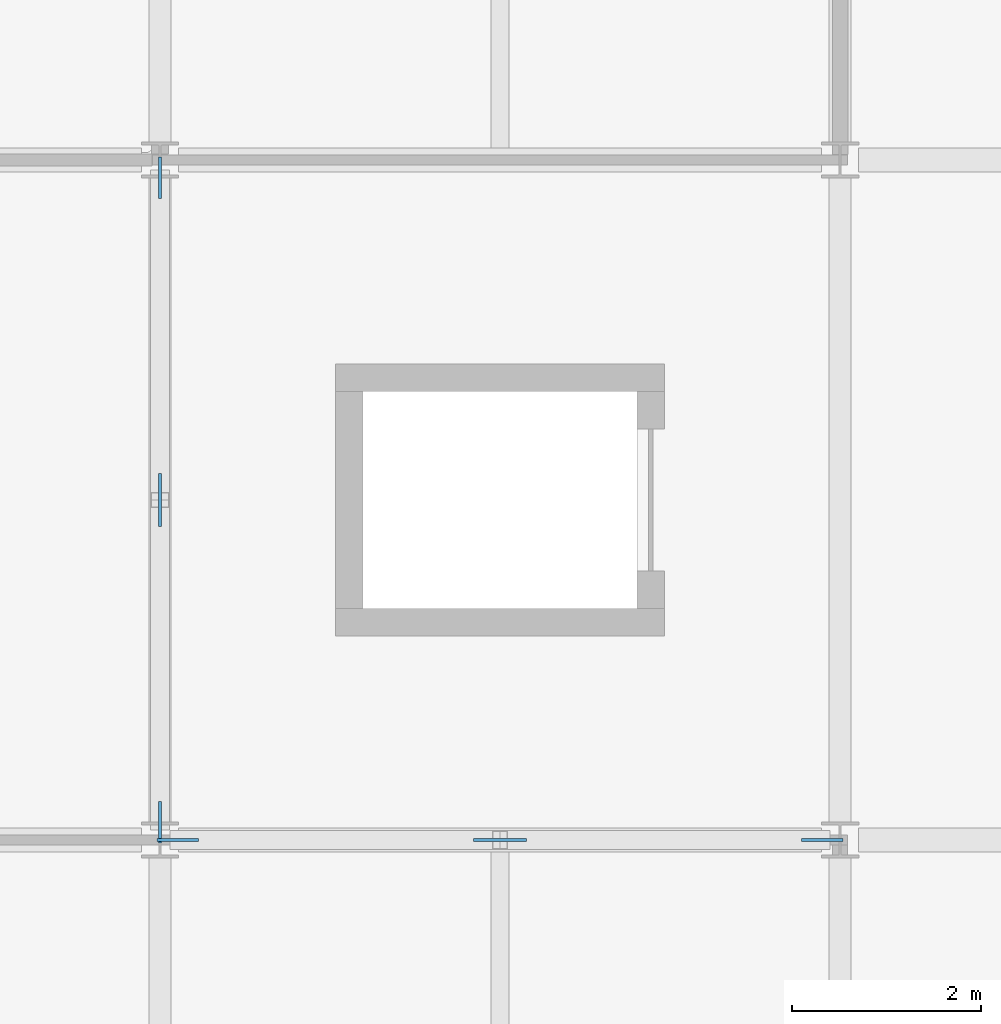
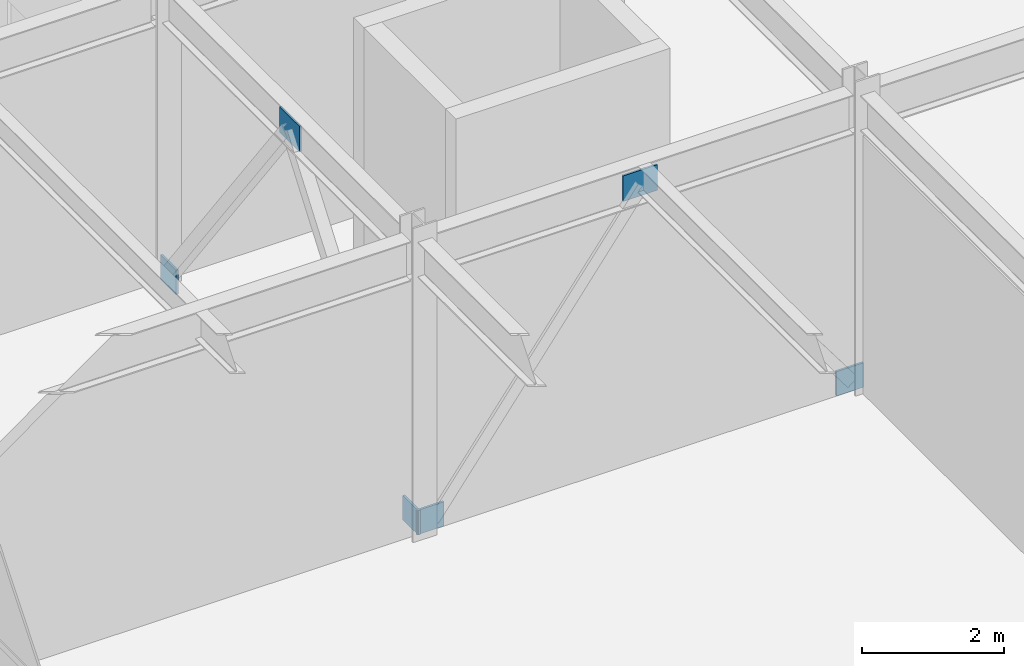
# One storey, part 70 of 104: 6 plates.
"""IFC4 building model written with IfcOpenShell, lengths in metres."""

from ifc_helpers import new_model, si_unit, direction, frame, origin, origin_2d, place, context, subcontext, project, spatial, rectangle, extrude, material, layer, layer_set, type_object, element, save


model = new_model("IFC4")

# Units and contexts
model_context = context("Model", 3, precision=1e-05, world=origin(), true_north=direction((0.0, 1.0)))
body_context = subcontext(model_context, "Body", "Model", "MODEL_VIEW")
ifc_project = project(units=[si_unit("LENGTHUNIT", "METRE"), si_unit("AREAUNIT", "SQUARE_METRE"), si_unit("VOLUMEUNIT", "CUBIC_METRE"), si_unit("PLANEANGLEUNIT", "RADIAN"), si_unit("MASSUNIT", "GRAM", prefix="KILO")], contexts=[model_context])

# Site, building, storey
site_placement = place(None, origin())
site = spatial("IfcSite", under=ifc_project, at=site_placement, CompositionType="ELEMENT")
building_placement = place(site_placement, origin())
building = spatial("IfcBuilding", under=site, at=building_placement, Name="Vaelcorin Mobility Hub", CompositionType="ELEMENT")
storey_placement = place(building_placement, origin())
storey = spatial("IfcBuildingStorey", under=building, at=storey_placement, Name="L00", CompositionType="ELEMENT", Elevation=0.0)

# Plates
ifc_material = material(Name="Steel ASTM A572 Grade 50", Category="steel")
ifc_layer = layer(ifc_material, 0.034912109375)
ifc_layer_set = layer_set([ifc_layer], Name="Steel ASTM A572 Grade 50")
plate_type = type_object("IfcPlateType", Name="PL-GN1", PredefinedType="USERDEFINED", material=ifc_layer_set)
for number, where, z_axis, x_axis, name in (
    (1, (160.989990234375, 98.39990234375, -0.030029296875), (0.0, 0.0, 1.0), (1.0, 0.0, 0.0), "SCBF Gusset Plate GN1 V5-BX2-L00-A"),
    (2, (167.81005859375, 98.39990234375, -0.030029296875), (0.0, 0.0, 1.0), (1.0, 0.0, 0.0), "SCBF Gusset Plate GN1 V5-BX2-L00-B"),
):
    element("IfcPlate", number, at=place(storey_placement, frame(where, z_axis=z_axis, x_axis=x_axis)), inside=storey, type_object=plate_type, Name=name, ObjectType="GUSSET PLATE", PredefinedType="USERDEFINED", context=body_context, shape_type="SweptSolid", body=[
        extrude(rectangle(XDim=0.43994140625, YDim=0.034912109375, at=origin_2d()), origin(), (0.0, 0.0, 1.0), 0.419921875),
    ])
plate_1_placement = place(storey_placement, frame((164.39990234375, 98.39990234375, 4.530029296875), z_axis=(0.0, 0.0, 1.0), x_axis=(1.0, 0.0, 0.0)))
element("IfcPlate", 3, at=plate_1_placement, inside=storey, type_object=plate_type, Name="SCBF Apex Gusset GN1 V5-BX2-L00", ObjectType="GUSSET PLATE", PredefinedType="USERDEFINED", context=body_context, shape_type="SweptSolid", body=[
    extrude(rectangle(XDim=0.56005859375, YDim=0.034912109375, at=origin_2d()), origin(), (0.0, 0.0, 1.0), 0.43994140625),
])
for number, where, z_axis, x_axis, name in (
    (4, (160.800048828125, 98.590087890625, -0.030029296875), (0.0, 0.0, 1.0), (0.0, 1.0, 0.0), "SCBF Gusset Plate GN1 V5-BY2-L00-A"),
    (5, (160.800048828125, 105.409912109375, -0.030029296875), (0.0, 0.0, 1.0), (0.0, 1.0, 0.0), "SCBF Gusset Plate GN1 V5-BY2-L00-B"),
):
    element("IfcPlate", number, at=place(storey_placement, frame(where, z_axis=z_axis, x_axis=x_axis)), inside=storey, type_object=plate_type, Name=name, ObjectType="GUSSET PLATE", PredefinedType="USERDEFINED", context=body_context, shape_type="SweptSolid", body=[
        extrude(rectangle(XDim=0.43994140625, YDim=0.034912109375, at=origin_2d()), origin(), (0.0, 0.0, 1.0), 0.419921875),
    ])
plate_2_placement = place(storey_placement, frame((160.800048828125, 102.0, 4.530029296875), z_axis=(0.0, 0.0, 1.0), x_axis=(0.0, 1.0, 0.0)))
element("IfcPlate", 6, at=plate_2_placement, inside=storey, type_object=plate_type, Name="SCBF Apex Gusset GN1 V5-BY2-L00", ObjectType="GUSSET PLATE", PredefinedType="USERDEFINED", context=body_context, shape_type="SweptSolid", body=[
    extrude(rectangle(XDim=0.56005859375, YDim=0.034912109375, at=origin_2d()), origin(), (0.0, 0.0, 1.0), 0.43994140625),
])

save(model, "model.ifc")
